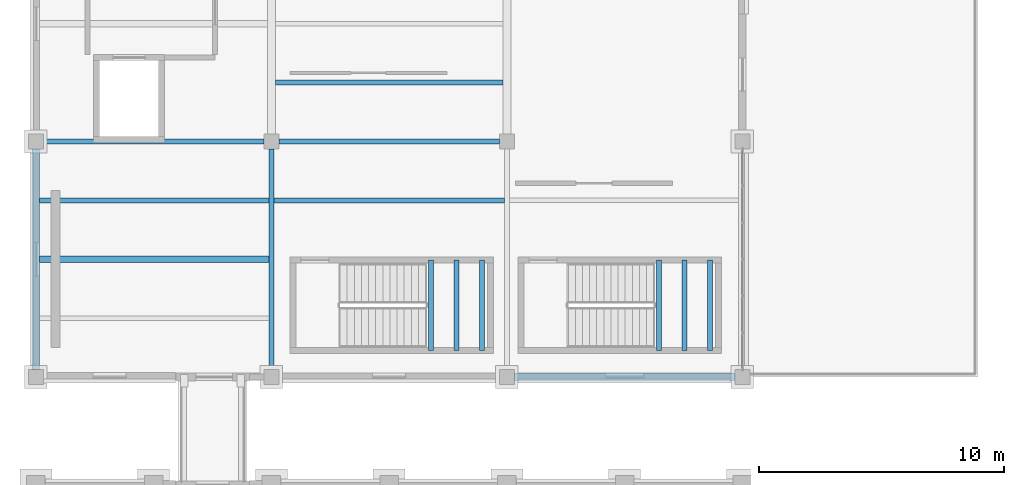
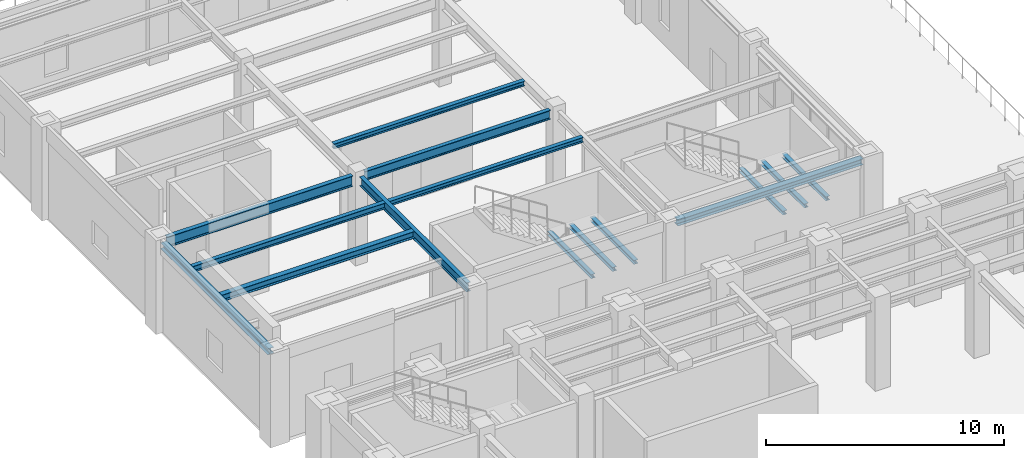
# One storey, part 19 of 83: 15 beams.
"""IFC4 building model written with IfcOpenShell, lengths in metres."""

from ifc_helpers import new_model, si_unit, direction, frame, origin, origin_2d, place, context, subcontext, project, spatial, i_section, extrude, material, material_profile, profile_set, type_object, element, save


model = new_model("IFC4")

# Units and contexts
model_context = context("Model", 3, precision=1e-05, world=origin(), true_north=direction((0.0, 1.0)))
body_context = subcontext(model_context, "Body", "Model", "MODEL_VIEW")
ifc_project = project(units=[si_unit("LENGTHUNIT", "METRE"), si_unit("AREAUNIT", "SQUARE_METRE"), si_unit("VOLUMEUNIT", "CUBIC_METRE"), si_unit("PLANEANGLEUNIT", "RADIAN"), si_unit("MASSUNIT", "GRAM", prefix="KILO")], contexts=[model_context])

# Site, building, storey
site_placement = place(None, origin())
site = spatial("IfcSite", under=ifc_project, at=site_placement, CompositionType="ELEMENT")
building_placement = place(site_placement, origin())
building = spatial("IfcBuilding", under=site, at=building_placement, Name="Mavantir Sound Aquarium", CompositionType="ELEMENT")
storey_placement = place(building_placement, frame((0.0, 0.0, 10.5)))
storey = spatial("IfcBuildingStorey", under=building, at=storey_placement, Name="L02", CompositionType="ELEMENT", Elevation=10.5)

# Beams
ifc_material = material(Name="Structural Steel ASTM A992 Gr50", Category="steel")
ifc_material_profile_1 = material_profile(ifc_material, i_section(OverallWidth=0.202880859375, OverallDepth=0.202880859375, WebThickness=0.007080078125, FlangeThickness=0.010986328125, FilletRadius=0.010009765625, at=origin_2d()), Name="W200X46")
ifc_profile_set_1 = profile_set([ifc_material_profile_1], Name="Structural Steel ASTM A992 Gr50")
beam_type_1 = type_object("IfcBeamType", Name="BM-W200X46-I", PredefinedType="LINTEL", material=ifc_profile_set_1)
for number, where, z_axis, x_axis, name in (
    (1, (16.10009765625, 84.675048828125, 2.095458984375), (0.0, 1.0, 0.0), (-1.0, 0.0, 0.0), "Stair ST5 landing support beam 94"),
    (2, (17.139892578125, 84.675048828125, 2.095458984375), (0.0, 1.0, 0.0), (-1.0, 0.0, 0.0), "Stair ST5 landing support beam 95"),
    (3, (18.179931640625, 84.675048828125, 2.095458984375), (0.0, 1.0, 0.0), (-1.0, 0.0, 0.0), "Stair ST5 landing support beam 96"),
    (4, (25.39990234375, 84.675048828125, 2.095458984375), (0.0, 1.0, 0.0), (-1.0, 0.0, 0.0), "Stair ST7 landing support beam 115"),
    (5, (26.43994140625, 84.675048828125, 2.095458984375), (0.0, 1.0, 0.0), (-1.0, 0.0, 0.0), "Stair ST7 landing support beam 116"),
    (6, (27.47998046875, 84.675048828125, 2.095458984375), (0.0, 1.0, 0.0), (-1.0, 0.0, 0.0), "Stair ST7 landing support beam 117"),
):
    element("IfcBeam", number, at=place(storey_placement, frame(where, z_axis=z_axis, x_axis=x_axis)), inside=storey, type_object=beam_type_1, Name=name, PredefinedType="LINTEL", context=body_context, shape_type="SweptSolid", body=[
        extrude(i_section(OverallWidth=0.202880859375, OverallDepth=0.202880859375, WebThickness=0.007080078125, FlangeThickness=0.010986328125, FilletRadius=0.010009765625, at=origin_2d()), origin(), (0.0, 0.0, 1.0), 3.699951171875),
    ])
ifc_material_profile_2 = material_profile(ifc_material, i_section(OverallWidth=0.202880859375, OverallDepth=0.251953125, WebThickness=0.008056640625, FlangeThickness=0.013427734375, FilletRadius=0.011962890625, at=origin_2d()), Name="W250X58")
ifc_profile_set_2 = profile_set([ifc_material_profile_2], Name="Structural Steel ASTM A992 Gr50")
beam_type_2 = type_object("IfcBeamType", Name="BM-W250X58-I", PredefinedType="JOIST", material=ifc_profile_set_2)
beam_1_placement = place(storey_placement, frame((9.697021484375, 90.800048828125, 4.389892578125), z_axis=(1.0, 0.0, 0.0), x_axis=(0.0, 1.0, 0.0)))
element("IfcBeam", 7, at=beam_1_placement, inside=storey, type_object=beam_type_2, Name="L02 secondary floor joist SJ-25 956", PredefinedType="JOIST", context=body_context, shape_type="SweptSolid", body=[
    extrude(i_section(OverallWidth=0.202880859375, OverallDepth=0.251953125, WebThickness=0.008056640625, FlangeThickness=0.013427734375, FilletRadius=0.011962890625, at=origin_2d()), origin(), (0.0, 0.0, 1.0), 9.406005859375),
])
beam_2_placement = place(storey_placement, frame((9.761962890625, 95.60009765625, 4.389892578125), z_axis=(1.0, 0.0, 0.0), x_axis=(0.0, 1.0, 0.0)))
element("IfcBeam", 8, at=beam_2_placement, inside=storey, type_object=beam_type_2, Name="L02 secondary floor joist SJ-25 960", PredefinedType="JOIST", context=body_context, shape_type="SweptSolid", body=[
    extrude(i_section(OverallWidth=0.202880859375, OverallDepth=0.251953125, WebThickness=0.008056640625, FlangeThickness=0.013427734375, FilletRadius=0.011962890625, at=origin_2d()), origin(), (0.0, 0.0, 1.0), 9.276123046875),
])
ifc_material_profile_3 = material_profile(ifc_material, i_section(OverallWidth=0.205078125, OverallDepth=0.31005859375, WebThickness=0.009521484375, FlangeThickness=0.016357421875, FilletRadius=0.012939453125, at=origin_2d()), Name="W310X74")
ifc_profile_set_3 = profile_set([ifc_material_profile_3], Name="Structural Steel ASTM A992 Gr50")
beam_type_3 = type_object("IfcBeamType", Name="BM-W310X74-I", PredefinedType="JOIST", material=ifc_profile_set_3)
beam_3_placement = place(storey_placement, frame((0.152587890625, 90.800048828125, 4.361083984375), z_axis=(1.0, 0.0, 0.0), x_axis=(0.0, 1.0, 0.0)))
element("IfcBeam", 9, at=beam_3_placement, inside=storey, type_object=beam_type_3, Name="L02 secondary floor joist SJ-31 955", PredefinedType="JOIST", context=body_context, shape_type="SweptSolid", body=[
    extrude(i_section(OverallWidth=0.205078125, OverallDepth=0.31005859375, WebThickness=0.009521484375, FlangeThickness=0.016357421875, FilletRadius=0.012939453125, at=origin_2d()), origin(), (0.0, 0.0, 1.0), 9.350341796875),
])
ifc_material_profile_4 = material_profile(ifc_material, i_section(OverallWidth=0.304931640625, OverallDepth=0.30810546875, WebThickness=0.010009765625, FlangeThickness=0.015380859375, FilletRadius=0.014892578125, at=origin_2d()), Name="W310X97")
ifc_profile_set_4 = profile_set([ifc_material_profile_4], Name="Structural Steel ASTM A992 Gr50")
beam_type_4 = type_object("IfcBeamType", Name="BM-W310X97-E", PredefinedType="SPANDREL", material=ifc_profile_set_4)
for number, where, z_axis, x_axis, name in (
    (10, (19.5, 83.60009765625, 4.362060546875), (1.0, 0.0, 0.0), (0.0, 1.0, 0.0), "L02 primary beam SS-31A 1605"),
    (11, (0.0, 83.89990234375, 4.362060546875), (0.0, 1.0, 0.0), (-1.0, 0.0, 0.0), "L02 primary girder SS-31A 1614"),
):
    element("IfcBeam", number, at=place(storey_placement, frame(where, z_axis=z_axis, x_axis=x_axis)), inside=storey, type_object=beam_type_4, Name=name, PredefinedType="SPANDREL", context=body_context, shape_type="SweptSolid", body=[
        extrude(i_section(OverallWidth=0.304931640625, OverallDepth=0.30810546875, WebThickness=0.010009765625, FlangeThickness=0.015380859375, FilletRadius=0.014892578125, at=origin_2d()), origin(), (0.0, 0.0, 1.0), 9.0),
    ])
ifc_material_profile_5 = material_profile(ifc_material, i_section(OverallWidth=0.25390625, OverallDepth=0.35302734375, WebThickness=0.009521484375, FlangeThickness=0.016357421875, FilletRadius=0.014892578125, at=origin_2d()), Name="W360X91")
ifc_profile_set_5 = profile_set([ifc_material_profile_5], Name="Structural Steel ASTM A992 Gr50")
beam_type_5 = type_object("IfcBeamType", Name="BM-W360X91-I", PredefinedType="JOIST", material=ifc_profile_set_5)
beam_4_placement = place(storey_placement, frame((0.152587890625, 88.39990234375, 4.339599609375), z_axis=(1.0, 0.0, 0.0), x_axis=(0.0, 1.0, 0.0)))
element("IfcBeam", 12, at=beam_4_placement, inside=storey, type_object=beam_type_5, Name="L02 secondary floor joist SJ-36 954", PredefinedType="JOIST", context=body_context, shape_type="SweptSolid", body=[
    extrude(i_section(OverallWidth=0.25390625, OverallDepth=0.35302734375, WebThickness=0.009521484375, FlangeThickness=0.016357421875, FilletRadius=0.014892578125, at=origin_2d()), origin(), (0.0, 0.0, 1.0), 9.350341796875),
])
ifc_material_profile_6 = material_profile(ifc_material, i_section(OverallWidth=0.194091796875, OverallDepth=0.468994140625, WebThickness=0.0126953125, FlangeThickness=0.0205078125, FilletRadius=0.01611328125, at=origin_2d()), Name="W460X106")
ifc_profile_set_6 = profile_set([ifc_material_profile_6], Name="Structural Steel ASTM A992 Gr50")
beam_type_6 = type_object("IfcBeamType", Name="BM-W460X106-I", PredefinedType="BEAM", material=ifc_profile_set_6)
for number, where, z_axis, x_axis, name in (
    (13, (9.89990234375, 93.199951171875, 4.281494140625), (1.0, 0.0, 0.0), (0.0, 1.0, 0.0), "L02 primary beam SB-46 1607"),
    (14, (9.60009765625, 83.89990234375, 4.281494140625), (0.0, 1.0, 0.0), (-1.0, 0.0, 0.0), "L02 primary girder SB-46 1617"),
):
    element("IfcBeam", number, at=place(storey_placement, frame(where, z_axis=z_axis, x_axis=x_axis)), inside=storey, type_object=beam_type_6, Name=name, PredefinedType="BEAM", context=body_context, shape_type="SweptSolid", body=[
        extrude(i_section(OverallWidth=0.194091796875, OverallDepth=0.468994140625, WebThickness=0.0126953125, FlangeThickness=0.0205078125, FilletRadius=0.01611328125, at=origin_2d()), origin(), (0.0, 0.0, 1.0), 9.0),
    ])
ifc_material_profile_7 = material_profile(ifc_material, i_section(OverallWidth=0.2119140625, OverallDepth=0.5439453125, WebThickness=0.01318359375, FlangeThickness=0.021240234375, FilletRadius=0.01806640625, at=origin_2d()), Name="W530X123")
ifc_profile_set_7 = profile_set([ifc_material_profile_7], Name="Structural Steel ASTM A992 Gr50")
beam_type_7 = type_object("IfcBeamType", Name="BM-W530X123-I", PredefinedType="BEAM", material=ifc_profile_set_7)
beam_5_placement = place(storey_placement, frame((0.300048828125, 93.199951171875, 4.243896484375), z_axis=(1.0, 0.0, 0.0), x_axis=(0.0, 1.0, 0.0)))
element("IfcBeam", 15, at=beam_5_placement, inside=storey, type_object=beam_type_7, Name="L02 primary beam SB-53 1606", PredefinedType="BEAM", context=body_context, shape_type="SweptSolid", body=[
    extrude(i_section(OverallWidth=0.2119140625, OverallDepth=0.5439453125, WebThickness=0.01318359375, FlangeThickness=0.021240234375, FilletRadius=0.01806640625, at=origin_2d()), origin(), (0.0, 0.0, 1.0), 9.0),
])

save(model, "model.ifc")
